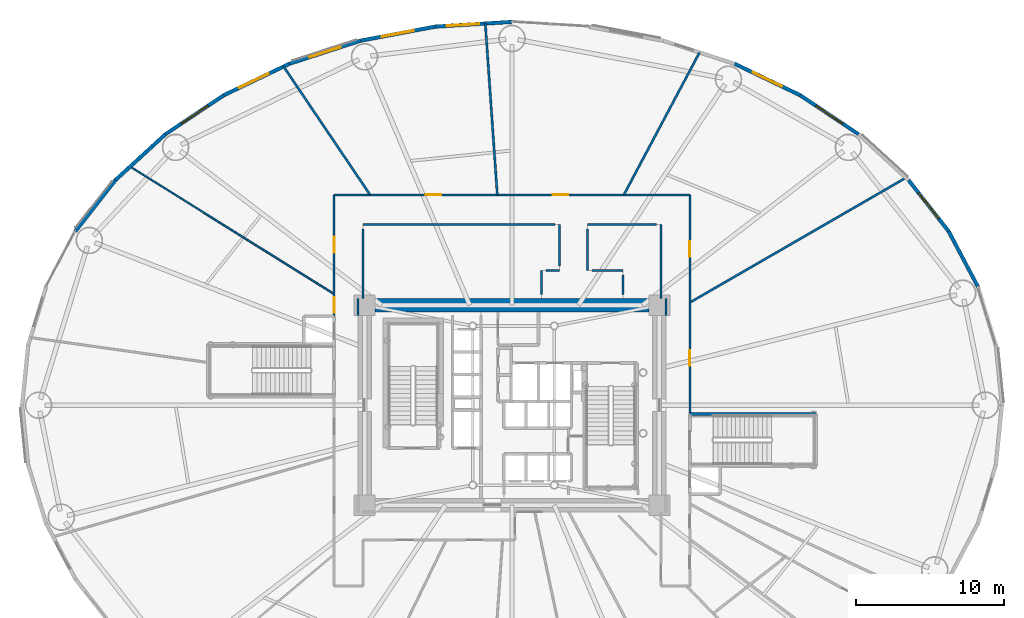
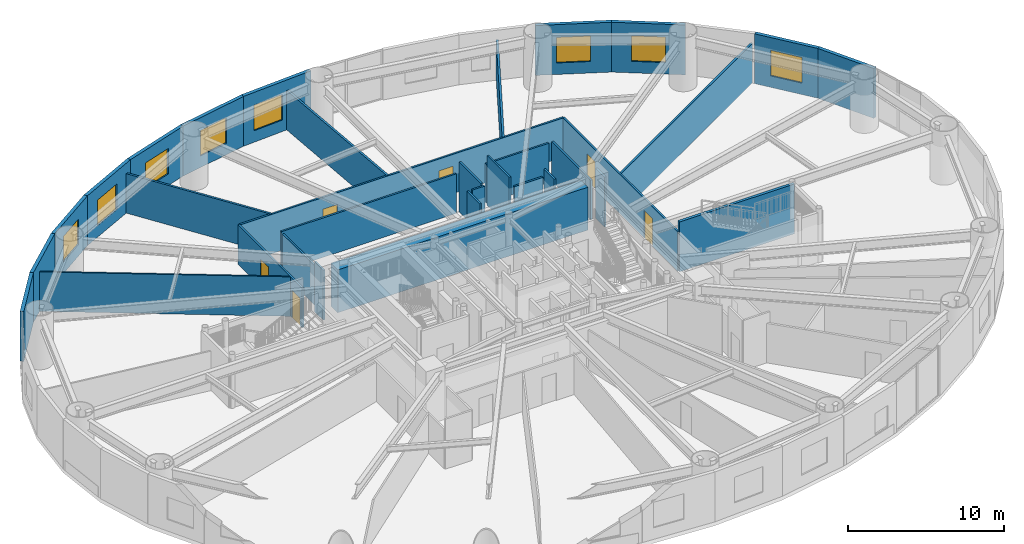
# One storey, part 16 of 27: 33 walls, 8 windows, 6 doors, 14 openings.
"""IFC4 building model written with IfcOpenShell, lengths in metres."""

from ifc_helpers import new_model, si_unit, direction, frame, frame_2d, origin, origin_2d, place, context, subcontext, project, spatial, rectangle, extrude, source, transform, mapped, material, layer, layer_set, type_object, element, fill, save


model = new_model("IFC4")

# Units and contexts
model_context = context("Model", 3, precision=1e-05, world=origin(), true_north=direction((0.0, 1.0)))
body_context = subcontext(model_context, "Body", "Model", "MODEL_VIEW")
ifc_project = project(units=[si_unit("LENGTHUNIT", "METRE"), si_unit("AREAUNIT", "SQUARE_METRE"), si_unit("VOLUMEUNIT", "CUBIC_METRE"), si_unit("PLANEANGLEUNIT", "RADIAN"), si_unit("MASSUNIT", "GRAM", prefix="KILO")], contexts=[model_context])

# Site, building, storey
site_placement = place(None, origin())
site = spatial("IfcSite", under=ifc_project, at=site_placement, CompositionType="ELEMENT")
building_placement = place(site_placement, origin())
building = spatial("IfcBuilding", under=site, at=building_placement, Name="Linh Dai School and Residence Tower", CompositionType="ELEMENT")
storey_placement = place(building_placement, frame((0.0, 0.0, 14.39990234375)))
storey = spatial("IfcBuildingStorey", under=building, at=storey_placement, Name="L03", CompositionType="ELEMENT", Elevation=14.39990234375)

# Wall
ifc_material_1 = material(Name="Precast Concrete B45 (C35/45)", Category="concrete")
ifc_layer_1 = layer(ifc_material_1, 0.25)
ifc_layer_set_1 = layer_set([ifc_layer_1], Name="Precast Concrete B45 (C35/45)")
wall_type_1 = type_object("IfcWallType", Name="EW-TC-250", PredefinedType="SOLIDWALL", material=ifc_layer_set_1)
wall_1_placement = place(storey_placement, frame((65.4765625, 38.735595703125, 0.0), z_axis=(0.0, 0.0, 1.0), x_axis=(0.467588829866, -0.883946087827, 0.0)))
element("IfcWall", 1, at=wall_1_placement, inside=storey, type_object=wall_type_1, Name="L03 Terracotta Exterior Wall 03", PredefinedType="SOLIDWALL", context=body_context, shape_type="SweptSolid", body=[
    extrude(rectangle(XDim=4.2412109375, YDim=0.25, at=frame_2d((2.12060546875, 0.0))), origin(), (0.0, 0.0, 1.0), 3.900146484375),
])

# Wall, opening, window
wall_2_placement = place(storey_placement, frame((62.767822265625, 42.197509765625, 0.0), z_axis=(0.0, 0.0, 1.0), x_axis=(0.61622589112, -0.787569457961, 0.0)))
wall_2 = element("IfcWall", 2, at=wall_2_placement, inside=storey, type_object=wall_type_1, Name="L03 Terracotta Exterior Wall 04", PredefinedType="SOLIDWALL", context=body_context, shape_type="SweptSolid", body=[
    extrude(rectangle(XDim=4.395751953125, YDim=0.25, at=frame_2d((2.19775390625, 0.0))), origin(), (0.0, 0.0, 1.0), 3.900146484375),
])
opening_1_placement = place(wall_2_placement, frame((1.09765625, 0.0, 0.89990234375)))
opening_1 = element("IfcOpeningElement", 3, at=opening_1_placement, cuts=wall_2, Name="Opening W4", PredefinedType="OPENING", context=body_context, shape_type="SweptSolid", body=[
    extrude(rectangle(XDim=2.199951171875, YDim=2.0, at=origin_2d()), frame((1.10009765625, 0.135009765625, 1.0), z_axis=(0.0, -1.0, 0.0), x_axis=(1.0, 0.0, 0.0)), (0.0, 0.0, 1.0), 0.27001953125),
])
ifc_material_2 = material(Name="Acoustic Laminated Low-E Glazing", Category="glass")
window_type = type_object("IfcWindowType", Name="WN-SCH-2200x2000", PartitioningType="TRIPLE_PANEL_VERTICAL", PredefinedType="WINDOW", material=ifc_material_2)
shared_shape_1 = source(origin(), body_context, "Body", "SweptSolid", [
    extrude(rectangle(XDim=2.199951171875, YDim=2.0, at=origin_2d()), frame((1.10009765625, 0.030029296875, 1.0), z_axis=(0.0, -1.0, 0.0), x_axis=(1.0, 0.0, 0.0)), (0.0, 0.0, 1.0), 0.06005859375),
])
window_1_placement = place(opening_1_placement, origin())
window_1 = element("IfcWindow", 4, at=window_1_placement, inside=storey, type_object=window_type, Name="L03 Exterior Window 04.1", OverallHeight=2.0, OverallWidth=2.199951171875, PartitioningType="TRIPLE_PANEL_VERTICAL", PredefinedType="WINDOW", context=body_context, shape_type="MappedRepresentation", body=[
    mapped(shared_shape_1, transform((0.0, 0.0, 0.0), x_axis=(1.0, 0.0, 0.0), y_axis=(0.0, 1.0, 0.0), z_axis=(0.0, 0.0, 1.0), scale=1.0)),
])
fill(opening_1, window_1)

wall_3_placement = place(storey_placement, frame((55.45263671875, 47.92578125, 0.0), z_axis=(0.0, 0.0, 1.0), x_axis=(0.831218664812, -0.555945618985, 0.0)))
wall_3 = element("IfcWall", 5, at=wall_3_placement, inside=storey, type_object=wall_type_1, Name="L03 Terracotta Exterior Wall 06", PredefinedType="SOLIDWALL", context=body_context, shape_type="SweptSolid", body=[
    extrude(rectangle(XDim=4.74755859375, YDim=0.25, at=frame_2d((2.373779296875, 0.0))), origin(), (0.0, 0.0, 1.0), 3.900146484375),
])
opening_2_placement = place(wall_3_placement, frame((1.273681640625, 0.0, 0.89990234375)))
opening_2 = element("IfcOpeningElement", 6, at=opening_2_placement, cuts=wall_3, Name="Opening W4", PredefinedType="OPENING", context=body_context, shape_type="SweptSolid", body=[
    extrude(rectangle(XDim=2.199951171875, YDim=2.0, at=origin_2d()), frame((1.10009765625, 0.135009765625, 1.0), z_axis=(0.0, -1.0, 0.0), x_axis=(1.0, 0.0, 0.0)), (0.0, 0.0, 1.0), 0.27001953125),
])
window_2_placement = place(opening_2_placement, origin())
window_2 = element("IfcWindow", 7, at=window_2_placement, inside=storey, type_object=window_type, Name="L03 Exterior Window 06.1", OverallHeight=2.0, OverallWidth=2.199951171875, PartitioningType="TRIPLE_PANEL_VERTICAL", PredefinedType="WINDOW", context=body_context, shape_type="MappedRepresentation", body=[
    mapped(shared_shape_1, transform((0.0, 0.0, 0.0), x_axis=(1.0, 0.0, 0.0), y_axis=(0.0, 1.0, 0.0), z_axis=(0.0, 0.0, 1.0), scale=1.0)),
])
fill(opening_2, window_2)

wall_4_placement = place(storey_placement, frame((51.026123046875, 50.050048828125, 0.0), z_axis=(0.0, 0.0, 1.0), x_axis=(0.901559523397, -0.432655088692, 0.0)))
wall_4 = element("IfcWall", 8, at=wall_4_placement, inside=storey, type_object=wall_type_1, Name="L03 Terracotta Exterior Wall 07", PredefinedType="SOLIDWALL", context=body_context, shape_type="SweptSolid", body=[
    extrude(rectangle(XDim=4.909912109375, YDim=0.25, at=frame_2d((2.455078125, 0.0))), origin(), (0.0, 0.0, 1.0), 3.900146484375),
])
opening_3_placement = place(wall_4_placement, frame((1.354736328125, 0.0, 0.89990234375)))
opening_3 = element("IfcOpeningElement", 9, at=opening_3_placement, cuts=wall_4, Name="Opening W4", PredefinedType="OPENING", context=body_context, shape_type="SweptSolid", body=[
    extrude(rectangle(XDim=2.199951171875, YDim=2.0, at=origin_2d()), frame((1.10009765625, 0.135009765625, 1.0), z_axis=(0.0, -1.0, 0.0), x_axis=(1.0, 0.0, 0.0)), (0.0, 0.0, 1.0), 0.27001953125),
])
window_3_placement = place(opening_3_placement, origin())
window_3 = element("IfcWindow", 10, at=window_3_placement, inside=storey, type_object=window_type, Name="L03 Exterior Window 07.1", OverallHeight=2.0, OverallWidth=2.199951171875, PartitioningType="TRIPLE_PANEL_VERTICAL", PredefinedType="WINDOW", context=body_context, shape_type="MappedRepresentation", body=[
    mapped(shared_shape_1, transform((0.0, 0.0, 0.0), x_axis=(1.0, 0.0, 0.0), y_axis=(0.0, 1.0, 0.0), z_axis=(0.0, 0.0, 1.0), scale=1.0)),
])
fill(opening_3, window_3)

wall_5_placement = place(storey_placement, frame((30.82177734375, 52.555908203125, 0.0), z_axis=(0.0, 0.0, 1.0), x_axis=(0.998106762298, 0.061505211614, 0.0)))
wall_5 = element("IfcWall", 11, at=wall_5_placement, inside=storey, type_object=wall_type_1, Name="L03 Terracotta Exterior Wall 11", PredefinedType="SOLIDWALL", context=body_context, shape_type="SweptSolid", body=[
    extrude(rectangle(XDim=5.18798828125, YDim=0.25, at=frame_2d((2.593994140625, 0.0))), origin(), (0.0, 0.0, 1.0), 3.900146484375),
])
opening_4_placement = place(wall_5_placement, frame((0.785888671875, 0.0, 0.89990234375)))
opening_4 = element("IfcOpeningElement", 12, at=opening_4_placement, cuts=wall_5, Name="Opening W4", PredefinedType="OPENING", context=body_context, shape_type="SweptSolid", body=[
    extrude(rectangle(XDim=2.199951171875, YDim=2.0, at=origin_2d()), frame((1.10009765625, 0.135009765625, 1.0), z_axis=(0.0, -1.0, 0.0), x_axis=(1.0, 0.0, 0.0)), (0.0, 0.0, 1.0), 0.27001953125),
])
window_4_placement = place(opening_4_placement, origin())
window_4 = element("IfcWindow", 13, at=window_4_placement, inside=storey, type_object=window_type, Name="L03 Exterior Window 11.1", OverallHeight=2.0, OverallWidth=2.199951171875, PartitioningType="TRIPLE_PANEL_VERTICAL", PredefinedType="WINDOW", context=body_context, shape_type="MappedRepresentation", body=[
    mapped(shared_shape_1, transform((0.0, 0.0, 0.0), x_axis=(1.0, 0.0, 0.0), y_axis=(0.0, 1.0, 0.0), z_axis=(0.0, 0.0, 1.0), scale=1.0)),
])
fill(opening_4, window_4)

wall_6_placement = place(storey_placement, frame((25.771484375, 51.6064453125, 0.0), z_axis=(0.0, 0.0, 1.0), x_axis=(0.98278278947, 0.184764684726, 0.0)))
wall_6 = element("IfcWall", 14, at=wall_6_placement, inside=storey, type_object=wall_type_1, Name="L03 Terracotta Exterior Wall 12", PredefinedType="SOLIDWALL", context=body_context, shape_type="SweptSolid", body=[
    extrude(rectangle(XDim=5.138671875, YDim=0.25, at=frame_2d((2.5693359375, 0.0))), origin(), (0.0, 0.0, 1.0), 3.900146484375),
])
opening_5_placement = place(wall_6_placement, frame((1.469482421875, 0.0, 0.89990234375)))
opening_5 = element("IfcOpeningElement", 15, at=opening_5_placement, cuts=wall_6, Name="Opening W4", PredefinedType="OPENING", context=body_context, shape_type="SweptSolid", body=[
    extrude(rectangle(XDim=2.199951171875, YDim=2.0, at=origin_2d()), frame((1.10009765625, 0.135009765625, 1.0), z_axis=(0.0, -1.0, 0.0), x_axis=(1.0, 0.0, 0.0)), (0.0, 0.0, 1.0), 0.27001953125),
])
window_5_placement = place(opening_5_placement, origin())
window_5 = element("IfcWindow", 16, at=window_5_placement, inside=storey, type_object=window_type, Name="L03 Exterior Window 12.1", OverallHeight=2.0, OverallWidth=2.199951171875, PartitioningType="TRIPLE_PANEL_VERTICAL", PredefinedType="WINDOW", context=body_context, shape_type="MappedRepresentation", body=[
    mapped(shared_shape_1, transform((0.0, 0.0, 0.0), x_axis=(1.0, 0.0, 0.0), y_axis=(0.0, 1.0, 0.0), z_axis=(0.0, 0.0, 1.0), scale=1.0)),
])
fill(opening_5, window_5)

wall_7_placement = place(storey_placement, frame((20.973876953125, 50.050048828125, 0.0), z_axis=(0.0, 0.0, 1.0), x_axis=(0.951198629726, 0.308579271513, 0.0)))
wall_7 = element("IfcWall", 17, at=wall_7_placement, inside=storey, type_object=wall_type_1, Name="L03 Terracotta Exterior Wall 13", PredefinedType="SOLIDWALL", context=body_context, shape_type="SweptSolid", body=[
    extrude(rectangle(XDim=5.043701171875, YDim=0.25, at=frame_2d((2.52197265625, 0.0))), origin(), (0.0, 0.0, 1.0), 3.900146484375),
])
opening_6_placement = place(wall_7_placement, frame((1.422119140625, 0.0, 0.89990234375)))
opening_6 = element("IfcOpeningElement", 18, at=opening_6_placement, cuts=wall_7, Name="Opening W4", PredefinedType="OPENING", context=body_context, shape_type="SweptSolid", body=[
    extrude(rectangle(XDim=2.199951171875, YDim=2.0, at=origin_2d()), frame((1.10009765625, 0.135009765625, 1.0), z_axis=(0.0, -1.0, 0.0), x_axis=(1.0, 0.0, 0.0)), (0.0, 0.0, 1.0), 0.27001953125),
])
window_6_placement = place(opening_6_placement, origin())
window_6 = element("IfcWindow", 19, at=window_6_placement, inside=storey, type_object=window_type, Name="L03 Exterior Window 13.1", OverallHeight=2.0, OverallWidth=2.199951171875, PartitioningType="TRIPLE_PANEL_VERTICAL", PredefinedType="WINDOW", context=body_context, shape_type="MappedRepresentation", body=[
    mapped(shared_shape_1, transform((0.0, 0.0, 0.0), x_axis=(1.0, 0.0, 0.0), y_axis=(0.0, 1.0, 0.0), z_axis=(0.0, 0.0, 1.0), scale=1.0)),
])
fill(opening_6, window_6)

wall_8_placement = place(storey_placement, frame((16.54736328125, 47.92578125, 0.0), z_axis=(0.0, 0.0, 1.0), x_axis=(0.901559523397, 0.432655088692, 0.0)))
wall_8 = element("IfcWall", 20, at=wall_8_placement, inside=storey, type_object=wall_type_1, Name="L03 Terracotta Exterior Wall 14", PredefinedType="SOLIDWALL", context=body_context, shape_type="SweptSolid", body=[
    extrude(rectangle(XDim=4.909912109375, YDim=0.25, at=frame_2d((2.455078125, 0.0))), origin(), (0.0, 0.0, 1.0), 3.900146484375),
])
opening_7_placement = place(wall_8_placement, frame((1.150146484375, 0.0, 0.89990234375)))
opening_7 = element("IfcOpeningElement", 21, at=opening_7_placement, cuts=wall_8, Name="Opening W4", PredefinedType="OPENING", context=body_context, shape_type="SweptSolid", body=[
    extrude(rectangle(XDim=2.199951171875, YDim=2.0, at=origin_2d()), frame((1.10009765625, 0.135009765625, 1.0), z_axis=(0.0, -1.0, 0.0), x_axis=(1.0, 0.0, 0.0)), (0.0, 0.0, 1.0), 0.27001953125),
])
window_7_placement = place(opening_7_placement, origin())
window_7 = element("IfcWindow", 22, at=window_7_placement, inside=storey, type_object=window_type, Name="L03 Exterior Window 14.1", OverallHeight=2.0, OverallWidth=2.199951171875, PartitioningType="TRIPLE_PANEL_VERTICAL", PredefinedType="WINDOW", context=body_context, shape_type="MappedRepresentation", body=[
    mapped(shared_shape_1, transform((0.0, 0.0, 0.0), x_axis=(1.0, 0.0, 0.0), y_axis=(0.0, 1.0, 0.0), z_axis=(0.0, 0.0, 1.0), scale=1.0)),
])
fill(opening_7, window_7)

wall_9_placement = place(storey_placement, frame((12.60107421875, 45.286376953125, 0.0), z_axis=(0.0, 0.0, 1.0), x_axis=(0.831218664812, 0.555945618985, 0.0)))
wall_9 = element("IfcWall", 23, at=wall_9_placement, inside=storey, type_object=wall_type_1, Name="L03 Terracotta Exterior Wall 15", PredefinedType="SOLIDWALL", context=body_context, shape_type="SweptSolid", body=[
    extrude(rectangle(XDim=4.74755859375, YDim=0.25, at=frame_2d((2.373779296875, 0.0))), origin(), (0.0, 0.0, 1.0), 3.900146484375),
])
opening_8_placement = place(wall_9_placement, frame((1.27392578125, 0.0, 0.89990234375)))
opening_8 = element("IfcOpeningElement", 24, at=opening_8_placement, cuts=wall_9, Name="Opening W4", PredefinedType="OPENING", context=body_context, shape_type="SweptSolid", body=[
    extrude(rectangle(XDim=2.199951171875, YDim=2.0, at=origin_2d()), frame((1.10009765625, 0.135009765625, 1.0), z_axis=(0.0, -1.0, 0.0), x_axis=(1.0, 0.0, 0.0)), (0.0, 0.0, 1.0), 0.27001953125),
])
window_8_placement = place(opening_8_placement, origin())
window_8 = element("IfcWindow", 25, at=window_8_placement, inside=storey, type_object=window_type, Name="L03 Exterior Window 15.1", OverallHeight=2.0, OverallWidth=2.199951171875, PartitioningType="TRIPLE_PANEL_VERTICAL", PredefinedType="WINDOW", context=body_context, shape_type="MappedRepresentation", body=[
    mapped(shared_shape_1, transform((0.0, 0.0, 0.0), x_axis=(1.0, 0.0, 0.0), y_axis=(0.0, 1.0, 0.0), z_axis=(0.0, 0.0, 1.0), scale=1.0)),
])
fill(opening_8, window_8)

# Walls
wall_10_placement = place(storey_placement, frame((9.232177734375, 42.197509765625, 0.0), z_axis=(0.0, 0.0, 1.0), x_axis=(0.737076532105, 0.675809282136, 0.0)))
element("IfcWall", 26, at=wall_10_placement, inside=storey, type_object=wall_type_1, Name="L03 Terracotta Exterior Wall 16", PredefinedType="SOLIDWALL", context=body_context, shape_type="SweptSolid", body=[
    extrude(rectangle(XDim=4.570556640625, YDim=0.25, at=frame_2d((2.28515625, 0.0))), origin(), (0.0, 0.0, 1.0), 3.900146484375),
])
wall_11_placement = place(storey_placement, frame((6.5234375, 38.735595703125, 0.0), z_axis=(0.0, 0.0, 1.0), x_axis=(0.61622589112, 0.787569457961, 0.0)))
element("IfcWall", 27, at=wall_11_placement, inside=storey, type_object=wall_type_1, Name="L03 Terracotta Exterior Wall 17", PredefinedType="SOLIDWALL", context=body_context, shape_type="SweptSolid", body=[
    extrude(rectangle(XDim=4.395751953125, YDim=0.25, at=frame_2d((2.19775390625, 0.0))), origin(), (0.0, 0.0, 1.0), 3.900146484375),
])

# Wall, openings, doors
ifc_material_3 = material(Name="Autoclaved Aerated Concrete Blockwork", Category="masonry")
ifc_layer_2 = layer(ifc_material_3, 0.135009765625)
ifc_layer_set_2 = layer_set([ifc_layer_2], Name="Autoclaved Aerated Concrete Blockwork")
wall_type_2 = type_object("IfcWallType", Name="IW-CORR-135-EI90", PredefinedType="PARTITIONING", material=ifc_layer_set_2)
wall_12_placement = place(storey_placement, frame((24.0, 33.010009765625, 0.0), z_axis=(0.0, 0.0, 1.0), x_axis=(0.0, 1.0, 0.0)))
wall_12 = element("IfcWall", 28, at=wall_12_placement, inside=storey, type_object=wall_type_2, Name="L03 Interior Partition Wall 014", PredefinedType="PARTITIONING", context=body_context, shape_type="SweptSolid", body=[
    extrude(rectangle(XDim=8.18994140625, YDim=0.135009765625, at=frame_2d((4.094970703125, 0.0))), origin(), (0.0, 0.0, 1.0), 3.085205078125),
])
opening_9_placement = place(wall_12_placement, frame((4.294189453125, 0.0, 0.0)))
opening_9 = element("IfcOpeningElement", 29, at=opening_9_placement, cuts=wall_12, Name="Opening D04", PredefinedType="OPENING", context=body_context, shape_type="SweptSolid", body=[
    extrude(rectangle(XDim=1.050048828125, YDim=2.14990234375, at=origin_2d()), frame((0.52490234375, 0.07763671875, 1.074951171875), z_axis=(0.0, -1.0, 0.0), x_axis=(1.0, 0.0, 0.0)), (0.0, 0.0, 1.0), 0.155029296875),
])
opening_10_placement = place(wall_12_placement, frame((0.2392578125, 0.0, 0.0)))
opening_10 = element("IfcOpeningElement", 30, at=opening_10_placement, cuts=wall_12, Name="Opening D04", PredefinedType="OPENING", context=body_context, shape_type="SweptSolid", body=[
    extrude(rectangle(XDim=1.050048828125, YDim=2.14990234375, at=origin_2d()), frame((0.52490234375, 0.07763671875, 1.074951171875), z_axis=(0.0, -1.0, 0.0), x_axis=(1.0, 0.0, 0.0)), (0.0, 0.0, 1.0), 0.155029296875),
])
ifc_material_4 = material(Name="Acoustic Vision-Panel Timber Classroom Door", Category="wood")
door_type = type_object("IfcDoorType", Name="DR-SCH-1050x2150-FD60S", OperationType="NOTDEFINED", PredefinedType="DOOR", material=ifc_material_4)
shared_shape_2 = source(origin(), body_context, "Body", "SweptSolid", [
    extrude(rectangle(XDim=1.050048828125, YDim=2.14990234375, at=origin_2d()), frame((0.52490234375, 0.02490234375, 1.074951171875), z_axis=(0.0, -1.0, 0.0), x_axis=(1.0, 0.0, 0.0)), (0.0, 0.0, 1.0), 0.050048828125),
])
door_1_placement = place(opening_9_placement, origin())
door_1 = element("IfcDoor", 31, at=door_1_placement, inside=storey, type_object=door_type, Name="L03 Middle School Classroom 1 Door", OperationType="SINGLE_SWING_LEFT", OverallHeight=2.14990234375, OverallWidth=1.050048828125, PredefinedType="DOOR", context=body_context, shape_type="MappedRepresentation", body=[
    mapped(shared_shape_2, transform((0.0, 0.0, 0.0), x_axis=(1.0, 0.0, 0.0), y_axis=(0.0, 1.0, 0.0), z_axis=(0.0, 0.0, 1.0), scale=1.0)),
])
fill(opening_9, door_1)
door_2_placement = place(opening_10_placement, origin())
door_2 = element("IfcDoor", 32, at=door_2_placement, inside=storey, type_object=door_type, Name="L03 Middle School Classroom 2 Door", OperationType="SINGLE_SWING_RIGHT", OverallHeight=2.14990234375, OverallWidth=1.050048828125, PredefinedType="DOOR", context=body_context, shape_type="MappedRepresentation", body=[
    mapped(shared_shape_2, transform((0.0, 0.0, 0.0), x_axis=(1.0, 0.0, 0.0), y_axis=(0.0, 1.0, 0.0), z_axis=(0.0, 0.0, 1.0), scale=1.0)),
])
fill(opening_10, door_2)

wall_13_placement = place(storey_placement, frame((24.0, 41.199951171875, 0.0), z_axis=(0.0, 0.0, 1.0), x_axis=(1.0, 0.0, 0.0)))
wall_13 = element("IfcWall", 33, at=wall_13_placement, inside=storey, type_object=wall_type_2, Name="L03 Interior Partition Wall 015", PredefinedType="PARTITIONING", context=body_context, shape_type="SweptSolid", body=[
    extrude(rectangle(XDim=24.0, YDim=0.135009765625, at=frame_2d((12.0, 0.0))), origin(), (0.0, 0.0, 1.0), 3.085205078125),
])
opening_11_placement = place(wall_13_placement, frame((14.753662109375, 0.0, 0.0)))
opening_11 = element("IfcOpeningElement", 34, at=opening_11_placement, cuts=wall_13, Name="Opening D04", PredefinedType="OPENING", context=body_context, shape_type="SweptSolid", body=[
    extrude(rectangle(XDim=1.050048828125, YDim=2.14990234375, at=origin_2d()), frame((0.52490234375, 0.07763671875, 1.074951171875), z_axis=(0.0, -1.0, 0.0), x_axis=(1.0, 0.0, 0.0)), (0.0, 0.0, 1.0), 0.155029296875),
])
opening_12_placement = place(wall_13_placement, frame((6.189453125, 0.0, 0.0)))
opening_12 = element("IfcOpeningElement", 35, at=opening_12_placement, cuts=wall_13, Name="Opening D04", PredefinedType="OPENING", context=body_context, shape_type="SweptSolid", body=[
    extrude(rectangle(XDim=1.050048828125, YDim=2.14990234375, at=origin_2d()), frame((0.52490234375, 0.07763671875, 1.074951171875), z_axis=(0.0, -1.0, 0.0), x_axis=(1.0, 0.0, 0.0)), (0.0, 0.0, 1.0), 0.155029296875),
])
door_3_placement = place(opening_11_placement, origin())
door_3 = element("IfcDoor", 36, at=door_3_placement, inside=storey, type_object=door_type, Name="L03 Biology and Ecology Laboratory Door", OperationType="SINGLE_SWING_LEFT", OverallHeight=2.14990234375, OverallWidth=1.050048828125, PredefinedType="DOOR", context=body_context, shape_type="MappedRepresentation", body=[
    mapped(shared_shape_2, transform((0.0, 0.0, 0.0), x_axis=(1.0, 0.0, 0.0), y_axis=(0.0, 1.0, 0.0), z_axis=(0.0, 0.0, 1.0), scale=1.0)),
])
fill(opening_11, door_3)
door_4_placement = place(opening_12_placement, origin())
door_4 = element("IfcDoor", 37, at=door_4_placement, inside=storey, type_object=door_type, Name="L03 Robotics and STEM Maker Lab Door", OperationType="SINGLE_SWING_RIGHT", OverallHeight=2.14990234375, OverallWidth=1.050048828125, PredefinedType="DOOR", context=body_context, shape_type="MappedRepresentation", body=[
    mapped(shared_shape_2, transform((0.0, 0.0, 0.0), x_axis=(1.0, 0.0, 0.0), y_axis=(0.0, 1.0, 0.0), z_axis=(0.0, 0.0, 1.0), scale=1.0)),
])
fill(opening_12, door_4)

wall_14_placement = place(storey_placement, frame((48.0, 26.429931640625, 0.0), z_axis=(0.0, 0.0, 1.0), x_axis=(0.0, 1.0, 0.0)))
wall_14 = element("IfcWall", 38, at=wall_14_placement, inside=storey, type_object=wall_type_2, Name="L03 Interior Partition Wall 071", PredefinedType="PARTITIONING", context=body_context, shape_type="SweptSolid", body=[
    extrude(rectangle(XDim=14.77001953125, YDim=0.135009765625, at=frame_2d((7.385009765625, 0.0))), origin(), (0.0, 0.0, 1.0), 3.085205078125),
])
opening_13_placement = place(wall_14_placement, frame((3.244140625, 0.0, 0.0)))
opening_13 = element("IfcOpeningElement", 39, at=opening_13_placement, cuts=wall_14, Name="Opening D04", PredefinedType="OPENING", context=body_context, shape_type="SweptSolid", body=[
    extrude(rectangle(XDim=1.050048828125, YDim=2.14990234375, at=origin_2d()), frame((0.52490234375, 0.07763671875, 1.074951171875), z_axis=(0.0, -1.0, 0.0), x_axis=(1.0, 0.0, 0.0)), (0.0, 0.0, 1.0), 0.155029296875),
])
opening_14_placement = place(wall_14_placement, frame((10.589111328125, 0.0, 0.0)))
opening_14 = element("IfcOpeningElement", 40, at=opening_14_placement, cuts=wall_14, Name="Opening D04", PredefinedType="OPENING", context=body_context, shape_type="SweptSolid", body=[
    extrude(rectangle(XDim=1.050048828125, YDim=2.14990234375, at=origin_2d()), frame((0.52490234375, 0.07763671875, 1.074951171875), z_axis=(0.0, -1.0, 0.0), x_axis=(1.0, 0.0, 0.0)), (0.0, 0.0, 1.0), 0.155029296875),
])
door_5_placement = place(opening_13_placement, origin())
door_5 = element("IfcDoor", 41, at=door_5_placement, inside=storey, type_object=door_type, Name="L03 School Learning Commons and Library Door", OperationType="SINGLE_SWING_LEFT", OverallHeight=2.14990234375, OverallWidth=1.050048828125, PredefinedType="DOOR", context=body_context, shape_type="MappedRepresentation", body=[
    mapped(shared_shape_2, transform((0.0, 0.0, 0.0), x_axis=(1.0, 0.0, 0.0), y_axis=(0.0, 1.0, 0.0), z_axis=(0.0, 0.0, 1.0), scale=1.0)),
])
fill(opening_13, door_5)
door_6_placement = place(opening_14_placement, origin())
door_6 = element("IfcDoor", 42, at=door_6_placement, inside=storey, type_object=door_type, Name="L03 General Science Laboratory 1 Door", OperationType="SINGLE_SWING_RIGHT", OverallHeight=2.14990234375, OverallWidth=1.050048828125, PredefinedType="DOOR", context=body_context, shape_type="MappedRepresentation", body=[
    mapped(shared_shape_2, transform((0.0, 0.0, 0.0), x_axis=(1.0, 0.0, 0.0), y_axis=(0.0, 1.0, 0.0), z_axis=(0.0, 0.0, 1.0), scale=1.0)),
])
fill(opening_14, door_6)

# Walls
wall_15_placement = place(storey_placement, frame((46.39990234375, 33.06005859375, 0.0), z_axis=(0.0, 0.0, 1.0), x_axis=(0.0, 1.0, 0.0)))
element("IfcWall", 43, at=wall_15_placement, inside=storey, type_object=wall_type_2, Name="L03 Interior Partition Wall 091", PredefinedType="PARTITIONING", context=body_context, shape_type="SweptSolid", body=[
    extrude(rectangle(XDim=1.139892578125, YDim=0.135009765625, at=frame_2d((0.56982421875, 0.0))), origin(), (0.0, 0.0, 1.0), 3.900146484375),
])
wall_16_placement = place(storey_placement, frame((46.050048828125, 34.199951171875, 0.0), z_axis=(0.0, 0.0, 1.0), x_axis=(0.0, 1.0, 0.0)))
element("IfcWall", 44, at=wall_16_placement, inside=storey, type_object=wall_type_2, Name="L03 Interior Partition Wall 092", PredefinedType="PARTITIONING", context=body_context, shape_type="SweptSolid", body=[
    extrude(rectangle(XDim=5.0, YDim=0.135009765625, at=frame_2d((2.5, 0.0))), origin(), (0.0, 0.0, 1.0), 3.085205078125),
])
wall_17_placement = place(storey_placement, frame((45.742431640625, 39.199951171875, 0.0), z_axis=(0.0, 0.0, 1.0), x_axis=(-1.0, 0.0, 0.0)))
element("IfcWall", 45, at=wall_17_placement, inside=storey, type_object=wall_type_2, Name="L03 Interior Partition Wall 093", PredefinedType="PARTITIONING", context=body_context, shape_type="SweptSolid", body=[
    extrude(rectangle(XDim=4.642333984375, YDim=0.135009765625, at=frame_2d((2.3212890625, 0.0))), origin(), (0.0, 0.0, 1.0), 3.085205078125),
])
wall_18_placement = place(storey_placement, frame((41.10009765625, 38.892578125, 0.0), z_axis=(0.0, 0.0, 1.0), x_axis=(0.0, -1.0, 0.0)))
element("IfcWall", 46, at=wall_18_placement, inside=storey, type_object=wall_type_2, Name="L03 Interior Partition Wall 094", PredefinedType="PARTITIONING", context=body_context, shape_type="SweptSolid", body=[
    extrude(rectangle(XDim=2.79248046875, YDim=0.135009765625, at=frame_2d((1.396240234375, 0.0))), origin(), (0.0, 0.0, 1.0), 3.900146484375),
])
wall_19_placement = place(storey_placement, frame((41.407470703125, 36.10009765625, 0.0), z_axis=(0.0, 0.0, 1.0), x_axis=(1.0, 0.0, 0.0)))
element("IfcWall", 47, at=wall_19_placement, inside=storey, type_object=wall_type_2, Name="L03 Interior Partition Wall 095", PredefinedType="PARTITIONING", context=body_context, shape_type="SweptSolid", body=[
    extrude(rectangle(XDim=2.092529296875, YDim=0.135009765625, at=frame_2d((1.04638671875, 0.0))), origin(), (0.0, 0.0, 1.0), 3.085205078125),
])
wall_20_placement = place(storey_placement, frame((43.5, 35.79248046875, 0.0), z_axis=(0.0, 0.0, 1.0), x_axis=(0.0, -1.0, 0.0)))
element("IfcWall", 48, at=wall_20_placement, inside=storey, type_object=wall_type_2, Name="L03 Interior Partition Wall 096", PredefinedType="PARTITIONING", context=body_context, shape_type="SweptSolid", body=[
    extrude(rectangle(XDim=1.33251953125, YDim=0.135009765625, at=frame_2d((0.666259765625, 0.0))), origin(), (0.0, 0.0, 1.0), 3.900146484375),
])
wall_21_placement = place(storey_placement, frame((38.0, 34.4599609375, 0.0), z_axis=(0.0, 0.0, 1.0), x_axis=(0.0, 1.0, 0.0)))
element("IfcWall", 49, at=wall_21_placement, inside=storey, type_object=wall_type_2, Name="L03 Interior Partition Wall 097", PredefinedType="PARTITIONING", context=body_context, shape_type="SweptSolid", body=[
    extrude(rectangle(XDim=1.64013671875, YDim=0.135009765625, at=frame_2d((0.820068359375, 0.0))), origin(), (0.0, 0.0, 1.0), 3.900146484375),
])
wall_22_placement = place(storey_placement, frame((38.3076171875, 36.10009765625, 0.0), z_axis=(0.0, 0.0, 1.0), x_axis=(1.0, 0.0, 0.0)))
element("IfcWall", 50, at=wall_22_placement, inside=storey, type_object=wall_type_2, Name="L03 Interior Partition Wall 098", PredefinedType="PARTITIONING", context=body_context, shape_type="SweptSolid", body=[
    extrude(rectangle(XDim=0.892333984375, YDim=0.135009765625, at=frame_2d((0.4462890625, 0.0))), origin(), (0.0, 0.0, 1.0), 3.900146484375),
])
wall_23_placement = place(storey_placement, frame((39.199951171875, 36.407470703125, 0.0), z_axis=(0.0, 0.0, 1.0), x_axis=(0.0, 1.0, 0.0)))
element("IfcWall", 51, at=wall_23_placement, inside=storey, type_object=wall_type_2, Name="L03 Interior Partition Wall 099", PredefinedType="PARTITIONING", context=body_context, shape_type="SweptSolid", body=[
    extrude(rectangle(XDim=2.79248046875, YDim=0.135009765625, at=frame_2d((1.396240234375, 0.0))), origin(), (0.0, 0.0, 1.0), 3.900146484375),
])
wall_24_placement = place(storey_placement, frame((38.892578125, 39.199951171875, 0.0), z_axis=(0.0, 0.0, 1.0), x_axis=(-1.0, 0.0, 0.0)))
element("IfcWall", 52, at=wall_24_placement, inside=storey, type_object=wall_type_2, Name="L03 Interior Partition Wall 100", PredefinedType="PARTITIONING", context=body_context, shape_type="SweptSolid", body=[
    extrude(rectangle(XDim=12.942626953125, YDim=0.135009765625, at=frame_2d((6.47119140625, 0.0))), origin(), (0.0, 0.0, 1.0), 3.085205078125),
])
wall_25_placement = place(storey_placement, frame((25.949951171875, 38.892578125, 0.0), z_axis=(0.0, 0.0, 1.0), x_axis=(0.0, -1.0, 0.0)))
element("IfcWall", 53, at=wall_25_placement, inside=storey, type_object=wall_type_2, Name="L03 Interior Partition Wall 101", PredefinedType="PARTITIONING", context=body_context, shape_type="SweptSolid", body=[
    extrude(rectangle(XDim=4.692626953125, YDim=0.135009765625, at=frame_2d((2.34619140625, 0.0))), origin(), (0.0, 0.0, 1.0), 3.085205078125),
])
wall_26_placement = place(storey_placement, frame((25.60009765625, 34.199951171875, 0.0), z_axis=(0.0, 0.0, 1.0), x_axis=(0.0, -1.0, 0.0)))
element("IfcWall", 54, at=wall_26_placement, inside=storey, type_object=wall_type_2, Name="L03 Interior Partition Wall 102", PredefinedType="PARTITIONING", context=body_context, shape_type="SweptSolid", body=[
    extrude(rectangle(XDim=1.139892578125, YDim=0.135009765625, at=frame_2d((0.56982421875, 0.0))), origin(), (0.0, 0.0, 1.0), 3.900146484375),
])
ifc_material_5 = material(Name="Acoustic Operable Timber Panel Partition", Category="wood")
ifc_layer_3 = layer(ifc_material_5, 0.110107421875)
ifc_layer_set_3 = layer_set([ifc_layer_3], Name="Acoustic Operable Timber Panel Partition")
wall_type_3 = type_object("IfcWallType", Name="IW-MOV-110", PredefinedType="MOVABLE", material=ifc_layer_set_3)
wall_27_placement = place(storey_placement, frame((10.219482421875, 43.109375, 0.0), z_axis=(0.0, 0.0, 1.0), x_axis=(0.848053163902, -0.529911154058, 0.0)))
element("IfcWall", 55, at=wall_27_placement, inside=storey, type_object=wall_type_3, Name="L03 Interior Partition Wall 003", PredefinedType="MOVABLE", context=body_context, shape_type="SweptSolid", body=[
    extrude(rectangle(XDim=16.24951171875, YDim=0.110107421875, at=frame_2d((8.124755859375, 0.0))), origin(), (0.0, 0.0, 1.0), 3.085205078125),
])
ifc_layer_4 = layer(ifc_material_3, 0.14990234375)
ifc_layer_set_4 = layer_set([ifc_layer_4], Name="Autoclaved Aerated Concrete Blockwork")
wall_type_4 = type_object("IfcWallType", Name="IW-SCH-150-EI60", PredefinedType="PARTITIONING", material=ifc_layer_set_4)
wall_28_placement = place(storey_placement, frame((20.5771484375, 49.865234375, 0.0), z_axis=(0.0, 0.0, 1.0), x_axis=(0.559187593002, -0.829041154487, 0.0)))
element("IfcWall", 56, at=wall_28_placement, inside=storey, type_object=wall_type_4, Name="L03 Interior Partition Wall 008", PredefinedType="PARTITIONING", context=body_context, shape_type="SweptSolid", body=[
    extrude(rectangle(XDim=10.4521484375, YDim=0.14990234375, at=frame_2d((5.22607421875, 0.0))), origin(), (0.0, 0.0, 1.0), 3.085205078125),
])
wall_29_placement = place(storey_placement, frame((34.197998046875, 52.76904296875, 0.0), z_axis=(0.0, 0.0, 1.0), x_axis=(0.06976439586, -0.99756349626, 0.0)))
element("IfcWall", 57, at=wall_29_placement, inside=storey, type_object=wall_type_4, Name="L03 Interior Partition Wall 029", PredefinedType="PARTITIONING", context=body_context, shape_type="SweptSolid", body=[
    extrude(rectangle(XDim=11.597412109375, YDim=0.14990234375, at=frame_2d((5.798828125, 0.0))), origin(), (0.0, 0.0, 1.0), 3.085205078125),
])
wall_30_placement = place(storey_placement, frame((43.55029296875, 41.199951171875, 0.0), z_axis=(0.0, 0.0, 1.0), x_axis=(0.469460990158, 0.882953214344, 0.0)))
element("IfcWall", 58, at=wall_30_placement, inside=storey, type_object=wall_type_4, Name="L03 Interior Partition Wall 060", PredefinedType="PARTITIONING", context=body_context, shape_type="SweptSolid", body=[
    extrude(rectangle(XDim=10.896484375, YDim=0.14990234375, at=frame_2d((5.4482421875, 0.0))), origin(), (0.0, 0.0, 1.0), 3.085205078125),
])
wall_31_placement = place(storey_placement, frame((48.0, 33.92822265625, 0.0), z_axis=(0.0, 0.0, 1.0), x_axis=(0.866027147936, 0.499996979028, 0.0)))
element("IfcWall", 59, at=wall_31_placement, inside=storey, type_object=wall_type_4, Name="L03 Interior Partition Wall 073", PredefinedType="PARTITIONING", context=body_context, shape_type="SweptSolid", body=[
    extrude(rectangle(XDim=16.85888671875, YDim=0.14990234375, at=frame_2d((8.429443359375, 0.0))), origin(), (0.0, 0.0, 1.0), 3.085205078125),
])
ifc_material_6 = material(Name="Concrete B45 (C35/45)", Category="concrete")
ifc_layer_5 = layer(ifc_material_6, 0.199951171875)
ifc_layer_set_5 = layer_set([ifc_layer_5], Name="Concrete B45 (C35/45)")
wall_type_5 = type_object("IfcWallType", Name="IW-SHAFT-200-EI120", PredefinedType="PARTITIONING", material=ifc_layer_set_5)
wall_32_placement = place(storey_placement, frame((48.0, 26.419921875, 0.0), z_axis=(0.0, 0.0, 1.0), x_axis=(1.0, 0.0, 0.0)))
element("IfcWall", 60, at=wall_32_placement, inside=storey, type_object=wall_type_5, Name="L03 Interior Partition Wall 072", PredefinedType="PARTITIONING", context=body_context, shape_type="SweptSolid", body=[
    extrude(rectangle(XDim=8.52001953125, YDim=0.199951171875, at=frame_2d((4.260009765625, 0.0))), origin(), (0.0, 0.0, 1.0), 3.900146484375),
])
ifc_material_7 = material(Name="Concrete B60 (C50/60)", Category="concrete")
ifc_layer_6 = layer(ifc_material_7, 0.89990234375)
ifc_layer_set_6 = layer_set([ifc_layer_6], Name="Concrete B60 (C50/60)")
wall_type_6 = type_object("IfcWallType", Name="WL-CORE900", PredefinedType="SHEAR", material=ifc_layer_set_6)
wall_33_placement = place(storey_placement, frame((26.75, 33.75, 0.0), z_axis=(0.0, 0.0, 1.0), x_axis=(1.0, 0.0, 0.0)))
element("IfcWall", 61, at=wall_33_placement, inside=storey, type_object=wall_type_6, Name="L03 Central Core Shear Wall N", PredefinedType="SHEAR", context=body_context, shape_type="SweptSolid", body=[
    extrude(rectangle(XDim=18.5, YDim=0.89990234375, at=frame_2d((9.25, 0.0))), origin(), (0.0, 0.0, 1.0), 3.35009765625),
])

save(model, "model.ifc")
